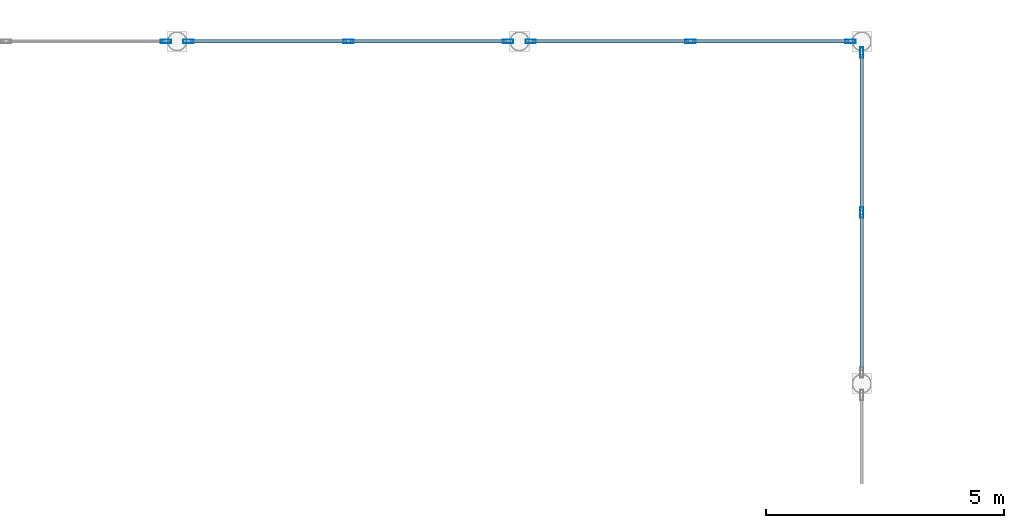
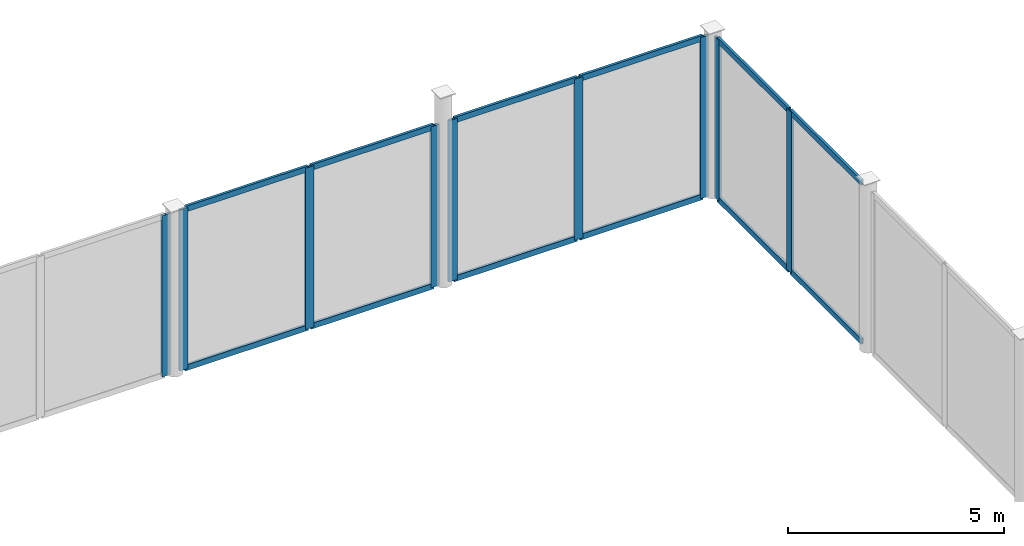
# One storey, part 80 of 120: 21 members, 4 elements without a shape of their own.
"""IFC4 building model written with IfcOpenShell, lengths in metres."""

from ifc_helpers import new_model, si_unit, direction, frame, origin, origin_2d, place, context, subcontext, project, spatial, hollow_rectangle, extrude, material, material_profile, profile_set, type_object, element, aggregate, save


model = new_model("IFC4")

# Units and contexts
model_context = context("Model", 3, precision=1e-05, world=origin(), true_north=direction((0.0, 1.0)))
body_context = subcontext(model_context, "Body", "Model", "MODEL_VIEW")
ifc_project = project(units=[si_unit("LENGTHUNIT", "METRE"), si_unit("AREAUNIT", "SQUARE_METRE"), si_unit("VOLUMEUNIT", "CUBIC_METRE"), si_unit("PLANEANGLEUNIT", "RADIAN"), si_unit("MASSUNIT", "GRAM", prefix="KILO")], contexts=[model_context])

# Site, building, storey
site_placement = place(None, origin())
site = spatial("IfcSite", under=ifc_project, at=site_placement, CompositionType="ELEMENT")
building_placement = place(site_placement, origin())
building = spatial("IfcBuilding", under=site, at=building_placement, Name="Vesperath Aquatics Centre", CompositionType="ELEMENT")
storey_placement = place(building_placement, frame((0.0, 0.0, 10.199951171875)))
storey = spatial("IfcBuildingStorey", under=building, at=storey_placement, Name="L02", CompositionType="ELEMENT", Elevation=10.199951171875)

# Curtain wall, member
ifc_material_1 = material(Name="Thermally broken anodised bronze aluminium curtain wall", Category="aluminium")
curtain_wall_type = type_object("IfcCurtainWallType", Name="CW-06", PredefinedType="NOTDEFINED", material=ifc_material_1)
curtain_wall_1_placement = place(storey_placement, origin())
curtain_wall_1 = element("IfcCurtainWall", 1, at=curtain_wall_1_placement, inside=storey, type_object=curtain_wall_type, Name="Facade Curtain Wall CW06 L02_N_17_16", PredefinedType="NOTDEFINED")
ifc_material_2 = material(Name="Thermally broken anodised aluminium", Category="aluminium")
ifc_material_profile_1 = material_profile(ifc_material_2, hollow_rectangle(XDim=0.070068359375, YDim=0.219970703125, WallThickness=0.0048828125, at=origin_2d()), Name="CWM 70x220x5")
ifc_profile_set_1 = profile_set([ifc_material_profile_1], Name="Thermally broken anodised aluminium")
member_type_1 = type_object("IfcMemberType", Name="MB-CWM2", PredefinedType="MULLION", material=ifc_profile_set_1)
member_1_placement = place(storey_placement, frame((129.36181640625, 115.199951171875, 0.0), z_axis=(0.0, 0.0, 1.0), x_axis=(0.0, 1.0, 0.0)))
member_1 = element("IfcMember", 2, at=member_1_placement, type_object=member_type_1, Name="CW06 mullion 3", PredefinedType="MULLION", context=body_context, shape_type="SweptSolid", body=[
    extrude(hollow_rectangle(XDim=0.070068359375, YDim=0.219970703125, WallThickness=0.0048828125, at=origin_2d()), origin(), (0.0, 0.0, 1.0), 4.56005859375),
])
aggregate(curtain_wall_1, [member_1])

# Curtain wall, members
curtain_wall_2_placement = place(storey_placement, origin())
curtain_wall_2 = element("IfcCurtainWall", 3, at=curtain_wall_2_placement, inside=storey, type_object=curtain_wall_type, Name="Facade Curtain Wall CW06 L02_N_18_16", PredefinedType="NOTDEFINED")
member_2_placement = place(storey_placement, frame((129.838134765625, 115.199951171875, 0.0), z_axis=(0.0, 0.0, 1.0), x_axis=(0.0, 1.0, 0.0)))
member_2 = element("IfcMember", 4, at=member_2_placement, type_object=member_type_1, Name="CW06 mullion 1", PredefinedType="MULLION", context=body_context, shape_type="SweptSolid", body=[
    extrude(hollow_rectangle(XDim=0.070068359375, YDim=0.219970703125, WallThickness=0.0048828125, at=origin_2d()), origin(), (0.0, 0.0, 1.0), 4.56005859375),
])
member_3_placement = place(storey_placement, frame((133.199951171875, 115.199951171875, 0.0), z_axis=(0.0, 0.0, 1.0), x_axis=(0.0, 1.0, 0.0)))
member_3 = element("IfcMember", 5, at=member_3_placement, type_object=member_type_1, Name="CW06 mullion 2", PredefinedType="MULLION", context=body_context, shape_type="SweptSolid", body=[
    extrude(hollow_rectangle(XDim=0.070068359375, YDim=0.219970703125, WallThickness=0.0048828125, at=origin_2d()), origin(), (0.0, 0.0, 1.0), 4.56005859375),
])
member_4_placement = place(storey_placement, frame((136.561767578125, 115.199951171875, 0.0), z_axis=(0.0, 0.0, 1.0), x_axis=(0.0, 1.0, 0.0)))
member_4 = element("IfcMember", 6, at=member_4_placement, type_object=member_type_1, Name="CW06 mullion 3", PredefinedType="MULLION", context=body_context, shape_type="SweptSolid", body=[
    extrude(hollow_rectangle(XDim=0.070068359375, YDim=0.219970703125, WallThickness=0.0048828125, at=origin_2d()), origin(), (0.0, 0.0, 1.0), 4.56005859375),
])

curtain_wall_3_placement = place(storey_placement, origin())
curtain_wall_3 = element("IfcCurtainWall", 7, at=curtain_wall_3_placement, inside=storey, type_object=curtain_wall_type, Name="Facade Curtain Wall CW06 L02_N_19_16", PredefinedType="NOTDEFINED")
member_5_placement = place(storey_placement, frame((137.0380859375, 115.199951171875, 0.0), z_axis=(0.0, 0.0, 1.0), x_axis=(0.0, 1.0, 0.0)))
member_5 = element("IfcMember", 8, at=member_5_placement, type_object=member_type_1, Name="CW06 mullion 1", PredefinedType="MULLION", context=body_context, shape_type="SweptSolid", body=[
    extrude(hollow_rectangle(XDim=0.070068359375, YDim=0.219970703125, WallThickness=0.0048828125, at=origin_2d()), origin(), (0.0, 0.0, 1.0), 4.56005859375),
])
member_6_placement = place(storey_placement, frame((140.39990234375, 115.199951171875, 0.0), z_axis=(0.0, 0.0, 1.0), x_axis=(0.0, 1.0, 0.0)))
member_6 = element("IfcMember", 9, at=member_6_placement, type_object=member_type_1, Name="CW06 mullion 2", PredefinedType="MULLION", context=body_context, shape_type="SweptSolid", body=[
    extrude(hollow_rectangle(XDim=0.070068359375, YDim=0.219970703125, WallThickness=0.0048828125, at=origin_2d()), origin(), (0.0, 0.0, 1.0), 4.56005859375),
])
member_7_placement = place(storey_placement, frame((143.76171875, 115.199951171875, 0.0), z_axis=(0.0, 0.0, 1.0), x_axis=(0.0, 1.0, 0.0)))
member_7 = element("IfcMember", 10, at=member_7_placement, type_object=member_type_1, Name="CW06 mullion 3", PredefinedType="MULLION", context=body_context, shape_type="SweptSolid", body=[
    extrude(hollow_rectangle(XDim=0.070068359375, YDim=0.219970703125, WallThickness=0.0048828125, at=origin_2d()), origin(), (0.0, 0.0, 1.0), 4.56005859375),
])

curtain_wall_4_placement = place(storey_placement, origin())
curtain_wall_4 = element("IfcCurtainWall", 11, at=curtain_wall_4_placement, inside=storey, type_object=curtain_wall_type, Name="Facade Curtain Wall CW06 L02_E_20_15", PredefinedType="NOTDEFINED")
member_8_placement = place(storey_placement, frame((144.0, 111.60009765625, 0.0), z_axis=(0.0, 0.0, 1.0), x_axis=(-1.0, 0.0, 0.0)))
member_8 = element("IfcMember", 12, at=member_8_placement, type_object=member_type_1, Name="CW06 mullion 2", PredefinedType="MULLION", context=body_context, shape_type="SweptSolid", body=[
    extrude(hollow_rectangle(XDim=0.070068359375, YDim=0.219970703125, WallThickness=0.0048828125, at=origin_2d()), origin(), (0.0, 0.0, 1.0), 4.56005859375),
])
member_9_placement = place(storey_placement, frame((144.0, 114.9619140625, 0.0), z_axis=(0.0, 0.0, 1.0), x_axis=(-1.0, 0.0, 0.0)))
member_9 = element("IfcMember", 13, at=member_9_placement, type_object=member_type_1, Name="CW06 mullion 3", PredefinedType="MULLION", context=body_context, shape_type="SweptSolid", body=[
    extrude(hollow_rectangle(XDim=0.070068359375, YDim=0.219970703125, WallThickness=0.0048828125, at=origin_2d()), origin(), (0.0, 0.0, 1.0), 4.56005859375),
])

# Member
ifc_material_profile_2 = material_profile(ifc_material_2, hollow_rectangle(XDim=0.070068359375, YDim=0.159912109375, WallThickness=0.0048828125, at=origin_2d()), Name="CWT 70x160x5")
ifc_profile_set_2 = profile_set([ifc_material_profile_2], Name="Thermally broken anodised aluminium")
member_type_2 = type_object("IfcMemberType", Name="MB-CWT2", PredefinedType="USERDEFINED", material=ifc_profile_set_2)
member_10_placement = place(storey_placement, frame((129.873291015625, 115.199951171875, 0.03515625), z_axis=(1.0, 0.0, 0.0), x_axis=(0.0, 1.0, 0.0)))
member_10 = element("IfcMember", 14, at=member_10_placement, type_object=member_type_2, Name="CW06 transom 1.1", ObjectType="TRANSOM", PredefinedType="USERDEFINED", context=body_context, shape_type="SweptSolid", body=[
    extrude(hollow_rectangle(XDim=0.070068359375, YDim=0.159912109375, WallThickness=0.0048828125, at=origin_2d()), origin(), (0.0, 0.0, 1.0), 3.291748046875),
])

member_11_placement = place(storey_placement, frame((129.873291015625, 115.199951171875, 4.525146484375), z_axis=(1.0, 0.0, 0.0), x_axis=(0.0, 1.0, 0.0)))
member_11 = element("IfcMember", 15, at=member_11_placement, type_object=member_type_2, Name="CW06 transom 1.2", ObjectType="TRANSOM", PredefinedType="USERDEFINED", context=body_context, shape_type="SweptSolid", body=[
    extrude(hollow_rectangle(XDim=0.070068359375, YDim=0.159912109375, WallThickness=0.0048828125, at=origin_2d()), origin(), (0.0, 0.0, 1.0), 3.291748046875),
])

member_12_placement = place(storey_placement, frame((133.235107421875, 115.199951171875, 0.03515625), z_axis=(1.0, 0.0, 0.0), x_axis=(0.0, 1.0, 0.0)))
member_12 = element("IfcMember", 16, at=member_12_placement, type_object=member_type_2, Name="CW06 transom 2.1", ObjectType="TRANSOM", PredefinedType="USERDEFINED", context=body_context, shape_type="SweptSolid", body=[
    extrude(hollow_rectangle(XDim=0.070068359375, YDim=0.159912109375, WallThickness=0.0048828125, at=origin_2d()), origin(), (0.0, 0.0, 1.0), 3.291748046875),
])

member_13_placement = place(storey_placement, frame((133.235107421875, 115.199951171875, 4.525146484375), z_axis=(1.0, 0.0, 0.0), x_axis=(0.0, 1.0, 0.0)))
member_13 = element("IfcMember", 17, at=member_13_placement, type_object=member_type_2, Name="CW06 transom 2.2", ObjectType="TRANSOM", PredefinedType="USERDEFINED", context=body_context, shape_type="SweptSolid", body=[
    extrude(hollow_rectangle(XDim=0.070068359375, YDim=0.159912109375, WallThickness=0.0048828125, at=origin_2d()), origin(), (0.0, 0.0, 1.0), 3.291748046875),
])

aggregate(curtain_wall_2, [member_2, member_3, member_4, member_10, member_11, member_12, member_13])

member_14_placement = place(storey_placement, frame((137.0732421875, 115.199951171875, 0.03515625), z_axis=(1.0, 0.0, 0.0), x_axis=(0.0, 1.0, 0.0)))
member_14 = element("IfcMember", 18, at=member_14_placement, type_object=member_type_2, Name="CW06 transom 1.1", ObjectType="TRANSOM", PredefinedType="USERDEFINED", context=body_context, shape_type="SweptSolid", body=[
    extrude(hollow_rectangle(XDim=0.070068359375, YDim=0.159912109375, WallThickness=0.0048828125, at=origin_2d()), origin(), (0.0, 0.0, 1.0), 3.291748046875),
])

member_15_placement = place(storey_placement, frame((137.0732421875, 115.199951171875, 4.525146484375), z_axis=(1.0, 0.0, 0.0), x_axis=(0.0, 1.0, 0.0)))
member_15 = element("IfcMember", 19, at=member_15_placement, type_object=member_type_2, Name="CW06 transom 1.2", ObjectType="TRANSOM", PredefinedType="USERDEFINED", context=body_context, shape_type="SweptSolid", body=[
    extrude(hollow_rectangle(XDim=0.070068359375, YDim=0.159912109375, WallThickness=0.0048828125, at=origin_2d()), origin(), (0.0, 0.0, 1.0), 3.291748046875),
])

member_16_placement = place(storey_placement, frame((140.43505859375, 115.199951171875, 0.03515625), z_axis=(1.0, 0.0, 0.0), x_axis=(0.0, 1.0, 0.0)))
member_16 = element("IfcMember", 20, at=member_16_placement, type_object=member_type_2, Name="CW06 transom 2.1", ObjectType="TRANSOM", PredefinedType="USERDEFINED", context=body_context, shape_type="SweptSolid", body=[
    extrude(hollow_rectangle(XDim=0.070068359375, YDim=0.159912109375, WallThickness=0.0048828125, at=origin_2d()), origin(), (0.0, 0.0, 1.0), 3.291748046875),
])

member_17_placement = place(storey_placement, frame((140.43505859375, 115.199951171875, 4.525146484375), z_axis=(1.0, 0.0, 0.0), x_axis=(0.0, 1.0, 0.0)))
member_17 = element("IfcMember", 21, at=member_17_placement, type_object=member_type_2, Name="CW06 transom 2.2", ObjectType="TRANSOM", PredefinedType="USERDEFINED", context=body_context, shape_type="SweptSolid", body=[
    extrude(hollow_rectangle(XDim=0.070068359375, YDim=0.159912109375, WallThickness=0.0048828125, at=origin_2d()), origin(), (0.0, 0.0, 1.0), 3.291748046875),
])

aggregate(curtain_wall_3, [member_5, member_6, member_7, member_14, member_15, member_16, member_17])

member_18_placement = place(storey_placement, frame((144.0, 108.273193359375, 0.03515625), z_axis=(0.0, 1.0, 0.0), x_axis=(-1.0, 0.0, 0.0)))
member_18 = element("IfcMember", 22, at=member_18_placement, type_object=member_type_2, Name="CW06 transom 1.1", ObjectType="TRANSOM", PredefinedType="USERDEFINED", context=body_context, shape_type="SweptSolid", body=[
    extrude(hollow_rectangle(XDim=0.070068359375, YDim=0.159912109375, WallThickness=0.0048828125, at=origin_2d()), origin(), (0.0, 0.0, 1.0), 3.291748046875),
])

member_19_placement = place(storey_placement, frame((144.0, 108.273193359375, 4.525146484375), z_axis=(0.0, 1.0, 0.0), x_axis=(-1.0, 0.0, 0.0)))
member_19 = element("IfcMember", 23, at=member_19_placement, type_object=member_type_2, Name="CW06 transom 1.2", ObjectType="TRANSOM", PredefinedType="USERDEFINED", context=body_context, shape_type="SweptSolid", body=[
    extrude(hollow_rectangle(XDim=0.070068359375, YDim=0.159912109375, WallThickness=0.0048828125, at=origin_2d()), origin(), (0.0, 0.0, 1.0), 3.291748046875),
])

member_20_placement = place(storey_placement, frame((144.0, 111.635009765625, 0.03515625), z_axis=(0.0, 1.0, 0.0), x_axis=(-1.0, 0.0, 0.0)))
member_20 = element("IfcMember", 24, at=member_20_placement, type_object=member_type_2, Name="CW06 transom 2.1", ObjectType="TRANSOM", PredefinedType="USERDEFINED", context=body_context, shape_type="SweptSolid", body=[
    extrude(hollow_rectangle(XDim=0.070068359375, YDim=0.159912109375, WallThickness=0.0048828125, at=origin_2d()), origin(), (0.0, 0.0, 1.0), 3.291748046875),
])

member_21_placement = place(storey_placement, frame((144.0, 111.635009765625, 4.525146484375), z_axis=(0.0, 1.0, 0.0), x_axis=(-1.0, 0.0, 0.0)))
member_21 = element("IfcMember", 25, at=member_21_placement, type_object=member_type_2, Name="CW06 transom 2.2", ObjectType="TRANSOM", PredefinedType="USERDEFINED", context=body_context, shape_type="SweptSolid", body=[
    extrude(hollow_rectangle(XDim=0.070068359375, YDim=0.159912109375, WallThickness=0.0048828125, at=origin_2d()), origin(), (0.0, 0.0, 1.0), 3.291748046875),
])

aggregate(curtain_wall_4, [member_8, member_9, member_18, member_19, member_20, member_21])

save(model, "model.ifc")
